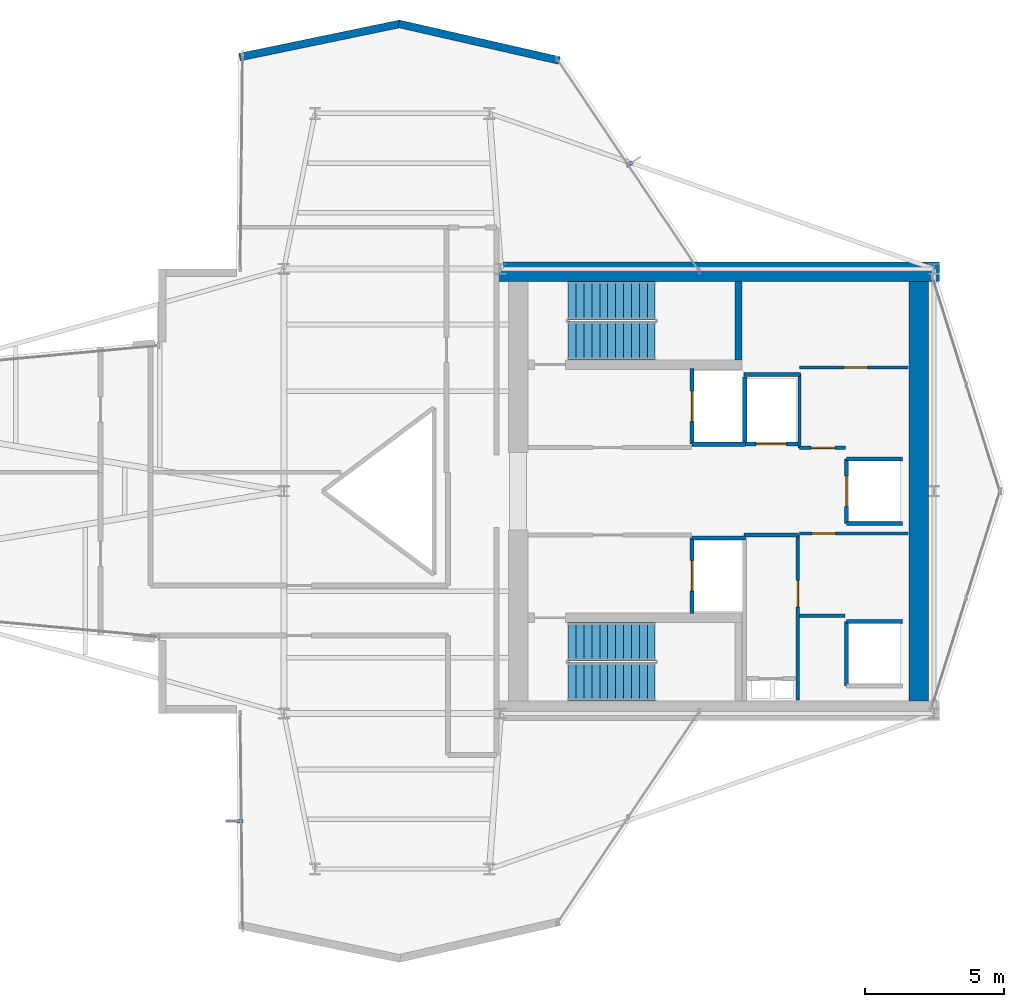
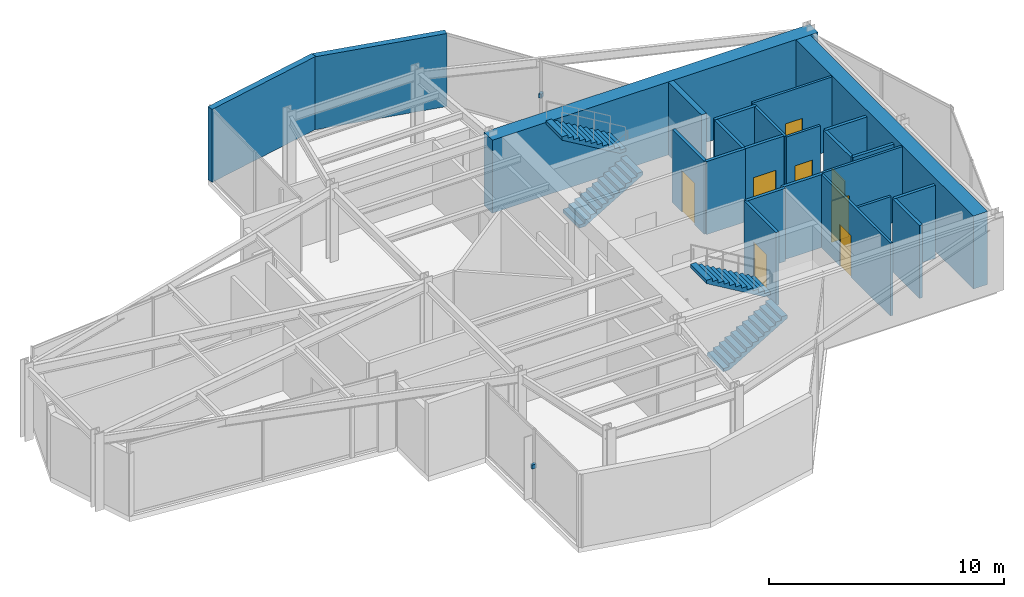
# One storey, part 21 of 22: 24 walls, 8 doors, 4 stair flights, 2 discrete accessories, 8 openings, 2 elements without a shape of their own.
"""IFC4 building model written with IfcOpenShell, lengths in metres."""

from ifc_helpers import new_model, si_unit, direction, frame, frame_2d, origin, origin_2d, place, context, subcontext, project, spatial, polyline, rectangle, outline, extrude, material, layer, layer_set, type_object, element, fill, aggregate, save


model = new_model("IFC4")

# Units and contexts
model_context = context("Model", 3, precision=1e-05, world=origin(), true_north=direction((0.0, 1.0)))
body_context = subcontext(model_context, "Body", "Model", "MODEL_VIEW")
ifc_project = project(units=[si_unit("LENGTHUNIT", "METRE"), si_unit("AREAUNIT", "SQUARE_METRE"), si_unit("VOLUMEUNIT", "CUBIC_METRE"), si_unit("PLANEANGLEUNIT", "RADIAN"), si_unit("MASSUNIT", "GRAM", prefix="KILO")], contexts=[model_context])

# Site, building, storey
site_placement = place(None, origin())
site = spatial("IfcSite", under=ifc_project, at=site_placement, CompositionType="ELEMENT")
building_placement = place(site_placement, origin())
building = spatial("IfcBuilding", under=site, at=building_placement, Name="Veymaron Broadcast Tower", CompositionType="ELEMENT")
storey_placement = place(building_placement, frame((0.0, 0.0, 208.050048828125)))
storey = spatial("IfcBuildingStorey", under=building, at=storey_placement, Name="L48", CompositionType="ELEMENT", Elevation=208.050048828125)

# Walls
ifc_material_1 = material(Name="Precast concrete C40/50", Category="concrete")
ifc_layer_1 = layer(ifc_material_1, 0.280029296875)
ifc_layer_set_1 = layer_set([ifc_layer_1], Name="Precast concrete C40/50")
wall_type_1 = type_object("IfcWallType", Name="WALL-EXT-280", PredefinedType="STANDARD", material=ifc_layer_set_1)
wall_1_placement = place(storey_placement, frame((41.11328125, 39.50341796875, 0.0), z_axis=(0.0, 0.0, 1.0), x_axis=(-0.974934808954, 0.222490715064, 0.0)))
element("IfcWall", 1, at=wall_1_placement, inside=storey, type_object=wall_type_1, Name="L48 notched corner facade pier 6-1", PredefinedType="STANDARD", context=body_context, shape_type="SweptSolid", body=[
    extrude(rectangle(XDim=5.93310546875, YDim=0.280029296875, at=frame_2d((2.966552734375, 0.0))), origin(), (0.0, 0.0, 1.0), 3.7900390625),
])
wall_2_placement = place(storey_placement, frame((35.388427734375, 40.822998046875, 0.0), z_axis=(0.0, 0.0, 1.0), x_axis=(-0.979145472124, -0.203160390873, 0.0)))
element("IfcWall", 2, at=wall_2_placement, inside=storey, type_object=wall_type_1, Name="L48 notched corner facade pier 7-1", PredefinedType="STANDARD", context=body_context, shape_type="SweptSolid", body=[
    extrude(rectangle(XDim=5.90771484375, YDim=0.280029296875, at=frame_2d((2.953857421875, 0.0))), origin(), (0.0, 0.0, 1.0), 3.7900390625),
])

# Wall, opening, door
ifc_material_2 = material(Name="Gypsum fireboard and steel stud framing", Category="steel")
ifc_layer_2 = layer(ifc_material_2, 0.14990234375)
ifc_layer_set_2 = layer_set([ifc_layer_2], Name="Gypsum fireboard and steel stud framing")
wall_type_2 = type_object("IfcWallType", Name="WALL-FIRE-150", PredefinedType="PARTITIONING", material=ifc_layer_set_2)
wall_3_placement = place(storey_placement, frame((45.89501953125, 25.68994140625, 0.0), z_axis=(0.0, 0.0, 1.0), x_axis=(0.0, 1.0, 0.0)))
wall_3 = element("IfcWall", 3, at=wall_3_placement, inside=storey, type_object=wall_type_2, Name="L48 partition IW-L48-SHW-FFL-1", PredefinedType="PARTITIONING", context=body_context, shape_type="SweptSolid", body=[
    extrude(rectangle(XDim=2.719970703125, YDim=0.14990234375, at=frame_2d((1.35986328125, 0.0))), origin(), (0.0, 0.0, 1.0), 3.7900390625),
])
opening_1_placement = place(wall_3_placement, frame((0.81005859375, 0.0, 0.0)))
opening_1 = element("IfcOpeningElement", 4, at=opening_1_placement, cuts=wall_3, Name="Opening LD", PredefinedType="OPENING", context=body_context, shape_type="SweptSolid", body=[
    extrude(rectangle(XDim=1.10009765625, YDim=2.14990234375, at=frame_2d((0.550048828125, 1.074951171875))), frame((0.0, 0.0849609375, 0.0), z_axis=(0.0, -1.0, 0.0), x_axis=(1.0, 0.0, 0.0)), (0.0, 0.0, 1.0), 0.169921875),
])
ifc_material_3 = material(Name="Brushed stainless steel AISI 304", Category="steel")
door_type_1 = type_object("IfcDoorType", Name="DOOR-LIFT-1100", OperationType="DOUBLE_DOOR_SLIDING", PredefinedType="DOOR", material=ifc_material_3)
door_1_placement = place(opening_1_placement, frame((1.10009765625, 0.0, 0.0), z_axis=(0.0, 0.0, 1.0), x_axis=(-1.0, 0.0, 0.0)))
door_1 = element("IfcDoor", 5, at=door_1_placement, inside=storey, type_object=door_type_1, Name="L48 door LD-L48-FFL-1", OperationType="DOUBLE_DOOR_SLIDING", OverallHeight=2.14990234375, OverallWidth=1.10009765625, PredefinedType="DOOR", context=body_context, shape_type="SweptSolid", body=[
    extrude(rectangle(XDim=1.10009765625, YDim=2.14990234375, at=frame_2d((0.550048828125, 1.074951171875))), frame((0.0, 0.02490234375, 0.0), z_axis=(0.0, -1.0, 0.0), x_axis=(1.0, 0.0, 0.0)), (0.0, 0.0, 1.0), 0.050048828125),
])
fill(opening_1, door_1)

# Wall
wall_4_placement = place(storey_placement, frame((45.89501953125, 25.68994140625, 0.0), z_axis=(0.0, 0.0, 1.0), x_axis=(1.0, 0.0, 0.0)))
element("IfcWall", 6, at=wall_4_placement, inside=storey, type_object=wall_type_2, Name="L48 partition IW-L48-SHS-FFL-1", PredefinedType="PARTITIONING", context=body_context, shape_type="SweptSolid", body=[
    extrude(rectangle(XDim=1.9150390625, YDim=0.14990234375, at=frame_2d((0.95751953125, 0.0))), origin(), (0.0, 0.0, 1.0), 3.7900390625),
])

# Wall, opening, door
wall_5_placement = place(storey_placement, frame((45.89501953125, 19.590087890625, 0.0), z_axis=(0.0, 0.0, 1.0), x_axis=(0.0, 1.0, 0.0)))
wall_5 = element("IfcWall", 7, at=wall_5_placement, inside=storey, type_object=wall_type_2, Name="L48 partition IW-L48-SHW-FFL-2", PredefinedType="PARTITIONING", context=body_context, shape_type="SweptSolid", body=[
    extrude(rectangle(XDim=2.719970703125, YDim=0.14990234375, at=frame_2d((1.35986328125, 0.0))), origin(), (0.0, 0.0, 1.0), 3.7900390625),
])
opening_2_placement = place(wall_5_placement, frame((0.81005859375, 0.0, 0.0)))
opening_2 = element("IfcOpeningElement", 8, at=opening_2_placement, cuts=wall_5, Name="Opening LD", PredefinedType="OPENING", context=body_context, shape_type="SweptSolid", body=[
    extrude(rectangle(XDim=1.10009765625, YDim=2.14990234375, at=frame_2d((0.550048828125, 1.074951171875))), frame((0.0, 0.0849609375, 0.0), z_axis=(0.0, -1.0, 0.0), x_axis=(1.0, 0.0, 0.0)), (0.0, 0.0, 1.0), 0.169921875),
])
door_2_placement = place(opening_2_placement, frame((1.10009765625, 0.0, 0.0), z_axis=(0.0, 0.0, 1.0), x_axis=(-1.0, 0.0, 0.0)))
door_2 = element("IfcDoor", 9, at=door_2_placement, inside=storey, type_object=door_type_1, Name="L48 door LD-L48-FFL-2", OperationType="DOUBLE_DOOR_SLIDING", OverallHeight=2.14990234375, OverallWidth=1.10009765625, PredefinedType="DOOR", context=body_context, shape_type="SweptSolid", body=[
    extrude(rectangle(XDim=1.10009765625, YDim=2.14990234375, at=frame_2d((0.550048828125, 1.074951171875))), frame((0.0, 0.02490234375, 0.0), z_axis=(0.0, -1.0, 0.0), x_axis=(1.0, 0.0, 0.0)), (0.0, 0.0, 1.0), 0.050048828125),
])
fill(opening_2, door_2)

# Wall
wall_6_placement = place(storey_placement, frame((45.89501953125, 22.31005859375, 0.0), z_axis=(0.0, 0.0, 1.0), x_axis=(1.0, 0.0, 0.0)))
element("IfcWall", 10, at=wall_6_placement, inside=storey, type_object=wall_type_2, Name="L48 partition IW-L48-SHN-FFL-2", PredefinedType="PARTITIONING", context=body_context, shape_type="SweptSolid", body=[
    extrude(rectangle(XDim=1.9150390625, YDim=0.14990234375, at=frame_2d((0.95751953125, 0.0))), origin(), (0.0, 0.0, 1.0), 3.7900390625),
])

# Wall, opening, door
wall_7_placement = place(storey_placement, frame((47.7900390625, 25.695068359375, 0.0), z_axis=(0.0, 0.0, 1.0), x_axis=(1.0, 0.0, 0.0)))
wall_7 = element("IfcWall", 11, at=wall_7_placement, inside=storey, type_object=wall_type_2, Name="L48 partition IW-L48-SHS-SL-1", PredefinedType="PARTITIONING", context=body_context, shape_type="SweptSolid", body=[
    extrude(rectangle(XDim=1.919921875, YDim=0.14990234375, at=frame_2d((0.9599609375, 0.0))), origin(), (0.0, 0.0, 1.0), 3.7900390625),
])
opening_3_placement = place(wall_7_placement, frame((0.409912109375, 0.0, 0.0)))
opening_3 = element("IfcOpeningElement", 12, at=opening_3_placement, cuts=wall_7, Name="Opening LD", PredefinedType="OPENING", context=body_context, shape_type="SweptSolid", body=[
    extrude(rectangle(XDim=1.10009765625, YDim=2.14990234375, at=frame_2d((0.550048828125, 1.074951171875))), frame((0.0, 0.0849609375, 0.0), z_axis=(0.0, -1.0, 0.0), x_axis=(1.0, 0.0, 0.0)), (0.0, 0.0, 1.0), 0.169921875),
])
door_3_placement = place(opening_3_placement, frame((1.10009765625, 0.0, 0.0), z_axis=(0.0, 0.0, 1.0), x_axis=(-1.0, 0.0, 0.0)))
door_3 = element("IfcDoor", 13, at=door_3_placement, inside=storey, type_object=door_type_1, Name="L48 door LD-L48-SL-1", OperationType="DOUBLE_DOOR_SLIDING", OverallHeight=2.14990234375, OverallWidth=1.10009765625, PredefinedType="DOOR", context=body_context, shape_type="SweptSolid", body=[
    extrude(rectangle(XDim=1.10009765625, YDim=2.14990234375, at=frame_2d((0.550048828125, 1.074951171875))), frame((0.0, 0.02490234375, 0.0), z_axis=(0.0, -1.0, 0.0), x_axis=(1.0, 0.0, 0.0)), (0.0, 0.0, 1.0), 0.050048828125),
])
fill(opening_3, door_3)

# Wall
wall_8_placement = place(storey_placement, frame((47.7900390625, 25.695068359375, 0.0), z_axis=(0.0, 0.0, 1.0), x_axis=(0.0, 1.0, 0.0)))
element("IfcWall", 14, at=wall_8_placement, inside=storey, type_object=wall_type_2, Name="L48 partition IW-L48-SHW-SL-1", PredefinedType="PARTITIONING", context=body_context, shape_type="SweptSolid", body=[
    extrude(rectangle(XDim=2.4150390625, YDim=0.14990234375, at=frame_2d((1.20751953125, 0.0))), origin(), (0.0, 0.0, 1.0), 3.7900390625),
])

# Wall, opening, door
wall_9_placement = place(storey_placement, frame((51.445068359375, 22.840087890625, 0.0), z_axis=(0.0, 0.0, 1.0), x_axis=(0.0, 1.0, 0.0)))
wall_9 = element("IfcWall", 15, at=wall_9_placement, inside=storey, type_object=wall_type_2, Name="L48 partition IW-L48-SHW-PM3", PredefinedType="PARTITIONING", context=body_context, shape_type="SweptSolid", body=[
    extrude(rectangle(XDim=2.31982421875, YDim=0.14990234375, at=frame_2d((1.159912109375, 0.0))), origin(), (0.0, 0.0, 1.0), 3.7900390625),
])
opening_4_placement = place(wall_9_placement, frame((0.610107421875, 0.0, 0.0)))
opening_4 = element("IfcOpeningElement", 16, at=opening_4_placement, cuts=wall_9, Name="Opening LD", PredefinedType="OPENING", context=body_context, shape_type="SweptSolid", body=[
    extrude(rectangle(XDim=1.10009765625, YDim=2.14990234375, at=frame_2d((0.550048828125, 1.074951171875))), frame((0.0, 0.0849609375, 0.0), z_axis=(0.0, -1.0, 0.0), x_axis=(1.0, 0.0, 0.0)), (0.0, 0.0, 1.0), 0.169921875),
])
door_4_placement = place(opening_4_placement, frame((1.10009765625, 0.0, 0.0), z_axis=(0.0, 0.0, 1.0), x_axis=(-1.0, 0.0, 0.0)))
door_4 = element("IfcDoor", 17, at=door_4_placement, inside=storey, type_object=door_type_1, Name="L48 door LD-L48-PM3", OperationType="DOUBLE_DOOR_SLIDING", OverallHeight=2.14990234375, OverallWidth=1.10009765625, PredefinedType="DOOR", context=body_context, shape_type="SweptSolid", body=[
    extrude(rectangle(XDim=1.10009765625, YDim=2.14990234375, at=frame_2d((0.550048828125, 1.074951171875))), frame((0.0, 0.02490234375, 0.0), z_axis=(0.0, -1.0, 0.0), x_axis=(1.0, 0.0, 0.0)), (0.0, 0.0, 1.0), 0.050048828125),
])
fill(opening_4, door_4)

# Walls
for number, where, z_axis, x_axis, name in (
    (18, (51.445068359375, 22.840087890625, 0.0), (0.0, 0.0, 1.0), (1.0, 0.0, 0.0), "L48 partition IW-L48-SHS-PM3"),
    (19, (51.445068359375, 25.159912109375, 0.0), (0.0, 0.0, 1.0), (1.0, 0.0, 0.0), "L48 partition IW-L48-SHN-PM3"),
):
    element("IfcWall", number, at=place(storey_placement, frame(where, z_axis=z_axis, x_axis=x_axis)), inside=storey, type_object=wall_type_2, Name=name, PredefinedType="PARTITIONING", context=body_context, shape_type="SweptSolid", body=[
        extrude(rectangle(XDim=2.014892578125, YDim=0.14990234375, at=frame_2d((1.00732421875, 0.0))), origin(), (0.0, 0.0, 1.0), 3.7900390625),
    ])
wall_10_placement = place(storey_placement, frame((51.445068359375, 16.989990234375, 0.0), z_axis=(0.0, 0.0, 1.0), x_axis=(0.0, 1.0, 0.0)))
element("IfcWall", 20, at=wall_10_placement, inside=storey, type_object=wall_type_2, Name="L48 partition IW-L48-SHW-PH1", PredefinedType="PARTITIONING", context=body_context, shape_type="SweptSolid", body=[
    extrude(rectangle(XDim=2.320068359375, YDim=0.14990234375, at=frame_2d((1.16015625, 0.0))), origin(), (0.0, 0.0, 1.0), 3.7900390625),
])
wall_11_placement = place(storey_placement, frame((51.445068359375, 19.31005859375, 0.0), z_axis=(0.0, 0.0, 1.0), x_axis=(1.0, 0.0, 0.0)))
element("IfcWall", 21, at=wall_11_placement, inside=storey, type_object=wall_type_2, Name="L48 partition IW-L48-SHN-PH1", PredefinedType="PARTITIONING", context=body_context, shape_type="SweptSolid", body=[
    extrude(rectangle(XDim=2.014892578125, YDim=0.14990234375, at=frame_2d((1.00732421875, 0.0))), origin(), (0.0, 0.0, 1.0), 3.7900390625),
])
wall_12_placement = place(storey_placement, frame((47.760009765625, 22.425048828125, 0.0), z_axis=(0.0, 0.0, 1.0), x_axis=(1.0, 0.0, 0.0)))
element("IfcWall", 22, at=wall_12_placement, inside=storey, type_object=wall_type_2, Name="L48 partition IW-L48-SM-N", PredefinedType="PARTITIONING", context=body_context, shape_type="SweptSolid", body=[
    extrude(rectangle(XDim=1.9599609375, YDim=0.14990234375, at=frame_2d((0.97998046875, 0.0))), origin(), (0.0, 0.0, 1.0), 3.7900390625),
])
wall_13_placement = place(storey_placement, frame((47.760009765625, 28.199951171875, 0.0), z_axis=(0.0, 0.0, 1.0), x_axis=(1.0, 0.0, 0.0)))
element("IfcWall", 23, at=wall_13_placement, inside=storey, type_object=wall_type_2, Name="L48 partition IW-L48-F2-SW", PredefinedType="PARTITIONING", context=body_context, shape_type="SweptSolid", body=[
    extrude(rectangle(XDim=2.0400390625, YDim=0.14990234375, at=frame_2d((1.02001953125, 0.0))), origin(), (0.0, 0.0, 1.0), 3.7900390625),
])

# Wall, opening, door
ifc_material_4 = material(Name="Acoustic gypsum board and galvanized stud", Category="gypsum")
ifc_layer_3 = layer(ifc_material_4, 0.1201171875)
ifc_layer_set_3 = layer_set([ifc_layer_3], Name="Acoustic gypsum board and galvanized stud")
wall_type_3 = type_object("IfcWallType", Name="WALL-PART-120", PredefinedType="PARTITIONING", material=ifc_layer_set_3)
wall_14_placement = place(storey_placement, frame((49.699951171875, 16.47998046875, 0.0), z_axis=(0.0, 0.0, 1.0), x_axis=(0.0, 1.0, 0.0)))
wall_14 = element("IfcWall", 24, at=wall_14_placement, inside=storey, type_object=wall_type_3, Name="L48 partition IW-L48-SM-E", PredefinedType="PARTITIONING", context=body_context, shape_type="SweptSolid", body=[
    extrude(rectangle(XDim=5.945068359375, YDim=0.1201171875, at=frame_2d((2.97265625, 0.0))), origin(), (0.0, 0.0, 1.0), 3.7900390625),
])
opening_5_placement = place(wall_14_placement, frame((3.35009765625, 0.0, 0.0)))
opening_5 = element("IfcOpeningElement", 25, at=opening_5_placement, cuts=wall_14, Name="Opening ID-RM1", PredefinedType="OPENING", context=body_context, shape_type="SweptSolid", body=[
    extrude(rectangle(XDim=0.949951171875, YDim=2.14990234375, at=frame_2d((0.47509765625, 1.074951171875))), frame((0.0, 0.070068359375, 0.0), z_axis=(0.0, -1.0, 0.0), x_axis=(1.0, 0.0, 0.0)), (0.0, 0.0, 1.0), 0.14013671875),
])
ifc_material_5 = material(Name="Acoustic solid-core European oak veneer timber", Category="wood")
door_type_2 = type_object("IfcDoorType", Name="DOOR-INT-950", OperationType="NOTDEFINED", PredefinedType="DOOR", material=ifc_material_5)
door_5_placement = place(opening_5_placement, frame((0.949951171875, 0.0, 0.0), z_axis=(0.0, 0.0, 1.0), x_axis=(-1.0, 0.0, 0.0)))
door_5 = element("IfcDoor", 26, at=door_5_placement, inside=storey, type_object=door_type_2, Name="L48 door DR-L48-AWC", OperationType="SINGLE_SWING_LEFT", OverallHeight=2.14990234375, OverallWidth=0.949951171875, PredefinedType="DOOR", context=body_context, shape_type="SweptSolid", body=[
    extrude(rectangle(XDim=0.949951171875, YDim=2.14990234375, at=frame_2d((0.47509765625, 1.074951171875))), frame((0.0, 0.02490234375, 0.0), z_axis=(0.0, -1.0, 0.0), x_axis=(1.0, 0.0, 0.0)), (0.0, 0.0, 1.0), 0.050048828125),
])
fill(opening_5, door_5)

wall_15_placement = place(storey_placement, frame((49.760009765625, 22.47998046875, 0.0), z_axis=(0.0, 0.0, 1.0), x_axis=(1.0, 0.0, 0.0)))
wall_15 = element("IfcWall", 27, at=wall_15_placement, inside=storey, type_object=wall_type_3, Name="L48 partition IW-L48-F2S-N", PredefinedType="PARTITIONING", context=body_context, shape_type="SweptSolid", body=[
    extrude(rectangle(XDim=3.89990234375, YDim=0.1201171875, at=frame_2d((1.949951171875, 0.0))), origin(), (0.0, 0.0, 1.0), 3.7900390625),
])
opening_6_placement = place(wall_15_placement, frame((0.449951171875, 0.0, 0.0)))
opening_6 = element("IfcOpeningElement", 28, at=opening_6_placement, cuts=wall_15, Name="Opening ID-WC1", PredefinedType="OPENING", context=body_context, shape_type="SweptSolid", body=[
    extrude(rectangle(XDim=0.85009765625, YDim=2.14990234375, at=frame_2d((0.425048828125, 1.074951171875))), frame((0.0, 0.070068359375, 0.0), z_axis=(0.0, -1.0, 0.0), x_axis=(1.0, 0.0, 0.0)), (0.0, 0.0, 1.0), 0.14013671875),
])
ifc_material_6 = material(Name="Moisture-resistant high-pressure laminate timber", Category="wood")
door_type_3 = type_object("IfcDoorType", Name="DOOR-INT-850", OperationType="NOTDEFINED", PredefinedType="DOOR", material=ifc_material_6)
door_6_placement = place(opening_6_placement, frame((0.85009765625, 0.0, 0.0), z_axis=(0.0, 0.0, 1.0), x_axis=(-1.0, 0.0, 0.0)))
door_6 = element("IfcDoor", 29, at=door_6_placement, inside=storey, type_object=door_type_3, Name="L48 door DR-L48-F2S", OperationType="SINGLE_SWING_LEFT", OverallHeight=2.14990234375, OverallWidth=0.85009765625, PredefinedType="DOOR", context=body_context, shape_type="SweptSolid", body=[
    extrude(rectangle(XDim=0.85009765625, YDim=2.14990234375, at=frame_2d((0.425048828125, 1.074951171875))), frame((0.0, 0.02490234375, 0.0), z_axis=(0.0, -1.0, 0.0), x_axis=(1.0, 0.0, 0.0)), (0.0, 0.0, 1.0), 0.050048828125),
])
fill(opening_6, door_6)

# Walls
wall_16_placement = place(storey_placement, frame((49.760009765625, 19.52001953125, 0.0), z_axis=(0.0, 0.0, 1.0), x_axis=(1.0, 0.0, 0.0)))
element("IfcWall", 30, at=wall_16_placement, inside=storey, type_object=wall_type_3, Name="L48 partition IW-L48-F2S-S", PredefinedType="PARTITIONING", context=body_context, shape_type="SweptSolid", body=[
    extrude(rectangle(XDim=1.639892578125, YDim=0.1201171875, at=frame_2d((0.81982421875, 0.0))), origin(), (0.0, 0.0, 1.0), 3.7900390625),
])
wall_17_placement = place(storey_placement, frame((49.760009765625, 25.56005859375, 0.0), z_axis=(0.0, 0.0, 1.0), x_axis=(0.0, 1.0, 0.0)))
element("IfcWall", 31, at=wall_17_placement, inside=storey, type_object=wall_type_3, Name="L48 partition IW-L48-F2-W1", PredefinedType="PARTITIONING", context=body_context, shape_type="SweptSolid", body=[
    extrude(rectangle(XDim=2.659912109375, YDim=0.1201171875, at=frame_2d((1.330078125, 0.0))), origin(), (0.0, 0.0, 1.0), 3.7900390625),
])

# Wall, opening, door
wall_18_placement = place(storey_placement, frame((49.760009765625, 25.56005859375, 0.0), z_axis=(0.0, 0.0, 1.0), x_axis=(1.0, 0.0, 0.0)))
wall_18 = element("IfcWall", 32, at=wall_18_placement, inside=storey, type_object=wall_type_3, Name="L48 partition IW-L48-F2-S", PredefinedType="PARTITIONING", context=body_context, shape_type="SweptSolid", body=[
    extrude(rectangle(XDim=1.659912109375, YDim=0.1201171875, at=frame_2d((0.830078125, 0.0))), origin(), (0.0, 0.0, 1.0), 3.7900390625),
])
opening_7_placement = place(wall_18_placement, frame((0.419921875, 0.0, 0.0)))
opening_7 = element("IfcOpeningElement", 33, at=opening_7_placement, cuts=wall_18, Name="Opening ID-WC1", PredefinedType="OPENING", context=body_context, shape_type="SweptSolid", body=[
    extrude(rectangle(XDim=0.85009765625, YDim=2.14990234375, at=frame_2d((0.425048828125, 1.074951171875))), frame((0.0, 0.070068359375, 0.0), z_axis=(0.0, -1.0, 0.0), x_axis=(1.0, 0.0, 0.0)), (0.0, 0.0, 1.0), 0.14013671875),
])
door_7_placement = place(opening_7_placement, origin())
door_7 = element("IfcDoor", 34, at=door_7_placement, inside=storey, type_object=door_type_3, Name="L48 door DR-L48-F2A", OperationType="SINGLE_SWING_LEFT", OverallHeight=2.14990234375, OverallWidth=0.85009765625, PredefinedType="DOOR", context=body_context, shape_type="SweptSolid", body=[
    extrude(rectangle(XDim=0.85009765625, YDim=2.14990234375, at=frame_2d((0.425048828125, 1.074951171875))), frame((0.0, 0.02490234375, 0.0), z_axis=(0.0, -1.0, 0.0), x_axis=(1.0, 0.0, 0.0)), (0.0, 0.0, 1.0), 0.050048828125),
])
fill(opening_7, door_7)

wall_19_placement = place(storey_placement, frame((49.760009765625, 28.449951171875, 0.0), z_axis=(0.0, 0.0, 1.0), x_axis=(1.0, 0.0, 0.0)))
wall_19 = element("IfcWall", 35, at=wall_19_placement, inside=storey, type_object=wall_type_3, Name="L48 partition IW-L48-F2-M", PredefinedType="PARTITIONING", context=body_context, shape_type="SweptSolid", body=[
    extrude(rectangle(XDim=3.89990234375, YDim=0.1201171875, at=frame_2d((1.949951171875, 0.0))), origin(), (0.0, 0.0, 1.0), 3.7900390625),
])
opening_8_placement = place(wall_19_placement, frame((1.60009765625, 0.0, 0.0)))
opening_8 = element("IfcOpeningElement", 36, at=opening_8_placement, cuts=wall_19, Name="Opening ID-WC1", PredefinedType="OPENING", context=body_context, shape_type="SweptSolid", body=[
    extrude(rectangle(XDim=0.85009765625, YDim=2.14990234375, at=frame_2d((0.425048828125, 1.074951171875))), frame((0.0, 0.070068359375, 0.0), z_axis=(0.0, -1.0, 0.0), x_axis=(1.0, 0.0, 0.0)), (0.0, 0.0, 1.0), 0.14013671875),
])
door_8_placement = place(opening_8_placement, origin())
door_8 = element("IfcDoor", 37, at=door_8_placement, inside=storey, type_object=door_type_3, Name="L48 door DR-L48-F2B", OperationType="SINGLE_SWING_RIGHT", OverallHeight=2.14990234375, OverallWidth=0.85009765625, PredefinedType="DOOR", context=body_context, shape_type="SweptSolid", body=[
    extrude(rectangle(XDim=0.85009765625, YDim=2.14990234375, at=frame_2d((0.425048828125, 1.074951171875))), frame((0.0, 0.02490234375, 0.0), z_axis=(0.0, -1.0, 0.0), x_axis=(1.0, 0.0, 0.0)), (0.0, 0.0, 1.0), 0.050048828125),
])
fill(opening_8, door_8)

# Walls
ifc_material_7 = material(Name="Concrete C50/60", Category="concrete")
ifc_layer_4 = layer(ifc_material_7, 0.25)
ifc_layer_set_4 = layer_set([ifc_layer_4], Name="Concrete C50/60")
wall_type_4 = type_object("IfcWallType", Name="WALL-SHEAR-250", PredefinedType="SHEAR", material=ifc_layer_set_4)
wall_20_placement = place(storey_placement, frame((47.56494140625, 28.72998046875, 0.0), z_axis=(0.0, 0.0, 1.0), x_axis=(0.0, 1.0, 0.0)))
element("IfcWall", 38, at=wall_20_placement, inside=storey, type_object=wall_type_4, Name="L48 Core Wall north stair east shear", PredefinedType="SHEAR", context=body_context, shape_type="SweptSolid", body=[
    extrude(rectangle(XDim=2.820068359375, YDim=0.25, at=frame_2d((1.41015625, 0.0))), origin(), (0.0, 0.0, 1.0), 3.7900390625),
])
ifc_material_8 = material(Name="Concrete C60/75", Category="concrete")
ifc_layer_5 = layer(ifc_material_8, 0.699951171875)
ifc_layer_set_5 = layer_set([ifc_layer_5], Name="Concrete C60/75")
wall_type_5 = type_object("IfcWallType", Name="WALL-SHEAR-700", PredefinedType="SHEAR", material=ifc_layer_set_5)
wall_21_placement = place(storey_placement, frame((38.800048828125, 31.89990234375, 0.0), z_axis=(0.0, 0.0, 1.0), x_axis=(1.0, 0.0, 0.0)))
element("IfcWall", 39, at=wall_21_placement, inside=storey, type_object=wall_type_5, Name="L48 Core Wall north shear", PredefinedType="SHEAR", context=body_context, shape_type="SweptSolid", body=[
    extrude(rectangle(XDim=16.0, YDim=0.699951171875, at=frame_2d((8.0, 0.0))), origin(), (0.0, 0.0, 1.0), 3.7900390625),
])
wall_22_placement = place(storey_placement, frame((54.050048828125, 16.449951171875, 0.0), z_axis=(0.0, 0.0, 1.0), x_axis=(0.0, 1.0, 0.0)))
element("IfcWall", 40, at=wall_22_placement, inside=storey, type_object=wall_type_5, Name="L48 Core Wall east shear", PredefinedType="SHEAR", context=body_context, shape_type="SweptSolid", body=[
    extrude(rectangle(XDim=15.10009765625, YDim=0.699951171875, at=frame_2d((7.550048828125, 0.0))), origin(), (0.0, 0.0, 1.0), 3.7900390625),
])

# Stair, stair flights
stair_type_1 = type_object("IfcStairType", Name="STAIR-CORE-1", PredefinedType="HALF_TURN_STAIR", material=ifc_material_7)
stair_1_placement = place(storey_placement, origin())
stair_1 = element("IfcStair", 41, at=stair_1_placement, inside=storey, type_object=stair_type_1, Name="L48 North protected dog-leg exit stair ST1", PredefinedType="HALF_TURN_STAIR")
ifc_material_9 = material(Name="Precast concrete C50/60", Category="concrete")
stair_flight_type = type_object("IfcStairFlightType", Name="FLT-CORE-RC", PredefinedType="STRAIGHT", material=ifc_material_9)
stair_flight_1_placement = place(storey_placement, frame((41.429931640625, 29.419921875, 0.0), z_axis=(0.0, 0.0, 1.0), x_axis=(1.0, 0.0, 0.0)))
stair_flight_1 = element("IfcStairFlight", 42, at=stair_flight_1_placement, type_object=stair_flight_type, Name="ST1 flight 1", NumberOfRisers=12, NumberOfTreads=11, PredefinedType="STRAIGHT", RiserHeight=0.16875, TreadLength=0.285, context=body_context, shape_type="SweptSolid", body=[
    extrude(outline(polyline([(0.0, 0.0), (0.0, 0.168701171875), (0.284912109375, 0.168701171875), (0.284912109375, 0.33740234375), (0.570068359375, 0.33740234375), (0.570068359375, 0.50634765625), (0.85498046875, 0.50634765625), (0.85498046875, 0.675048828125), (1.139892578125, 0.675048828125), (1.139892578125, 0.84375), (1.425048828125, 0.84375), (1.425048828125, 1.012451171875), (1.7099609375, 1.012451171875), (1.7099609375, 1.18115234375), (1.9951171875, 1.18115234375), (1.9951171875, 1.35009765625), (2.280029296875, 1.35009765625), (2.280029296875, 1.518798828125), (2.56494140625, 1.518798828125), (2.56494140625, 1.6875), (2.85009765625, 1.6875), (2.85009765625, 1.856201171875), (3.135009765625, 1.856201171875), (3.135009765625, 2.02490234375), (3.135009765625, 1.68212890625), (0.294189453125, 0.0), (0.0, 0.0)])), frame((0.0, 0.68994140625, 0.0), z_axis=(0.0, -1.0, 0.0), x_axis=(1.0, 0.0, 0.0)), (0.0, 0.0, 1.0), 1.3798828125),
])
stair_flight_2_placement = place(storey_placement, frame((44.56494140625, 30.860107421875, 2.02490234375), z_axis=(0.0, 0.0, 1.0), x_axis=(-1.0, 0.0, 0.0)))
stair_flight_2 = element("IfcStairFlight", 43, at=stair_flight_2_placement, type_object=stair_flight_type, Name="ST1 flight 2", NumberOfRisers=12, NumberOfTreads=11, PredefinedType="STRAIGHT", RiserHeight=0.16875, TreadLength=0.285, context=body_context, shape_type="SweptSolid", body=[
    extrude(outline(polyline([(0.0, 0.0), (0.0, 0.168701171875), (0.284912109375, 0.168701171875), (0.284912109375, 0.33740234375), (0.570068359375, 0.33740234375), (0.570068359375, 0.50634765625), (0.85498046875, 0.50634765625), (0.85498046875, 0.675048828125), (1.139892578125, 0.675048828125), (1.139892578125, 0.84375), (1.425048828125, 0.84375), (1.425048828125, 1.012451171875), (1.7099609375, 1.012451171875), (1.7099609375, 1.18115234375), (1.9951171875, 1.18115234375), (1.9951171875, 1.35009765625), (2.280029296875, 1.35009765625), (2.280029296875, 1.518798828125), (2.56494140625, 1.518798828125), (2.56494140625, 1.6875), (2.85009765625, 1.6875), (2.85009765625, 1.856201171875), (3.135009765625, 1.856201171875), (3.135009765625, 2.02490234375), (3.135009765625, 1.68212890625), (0.294189453125, 0.0), (0.0, 0.0)])), frame((0.0, 0.68994140625, 0.0), z_axis=(0.0, -1.0, 0.0), x_axis=(1.0, 0.0, 0.0)), (0.0, 0.0, 1.0), 1.3798828125),
])
aggregate(stair_1, [stair_flight_1, stair_flight_2])

stair_type_2 = type_object("IfcStairType", Name="STAIR-CORE-2", PredefinedType="HALF_TURN_STAIR", material=ifc_material_7)
stair_2_placement = place(storey_placement, origin())
stair_2 = element("IfcStair", 44, at=stair_2_placement, inside=storey, type_object=stair_type_2, Name="L48 South protected dog-leg exit stair ST2", PredefinedType="HALF_TURN_STAIR")
stair_flight_3_placement = place(storey_placement, frame((41.429931640625, 17.139892578125, 0.0), z_axis=(0.0, 0.0, 1.0), x_axis=(1.0, 0.0, 0.0)))
stair_flight_3 = element("IfcStairFlight", 45, at=stair_flight_3_placement, type_object=stair_flight_type, Name="ST2 flight 1", NumberOfRisers=12, NumberOfTreads=11, PredefinedType="STRAIGHT", RiserHeight=0.16875, TreadLength=0.285, context=body_context, shape_type="SweptSolid", body=[
    extrude(outline(polyline([(0.0, 0.0), (0.0, 0.168701171875), (0.284912109375, 0.168701171875), (0.284912109375, 0.33740234375), (0.570068359375, 0.33740234375), (0.570068359375, 0.50634765625), (0.85498046875, 0.50634765625), (0.85498046875, 0.675048828125), (1.139892578125, 0.675048828125), (1.139892578125, 0.84375), (1.425048828125, 0.84375), (1.425048828125, 1.012451171875), (1.7099609375, 1.012451171875), (1.7099609375, 1.18115234375), (1.9951171875, 1.18115234375), (1.9951171875, 1.35009765625), (2.280029296875, 1.35009765625), (2.280029296875, 1.518798828125), (2.56494140625, 1.518798828125), (2.56494140625, 1.6875), (2.85009765625, 1.6875), (2.85009765625, 1.856201171875), (3.135009765625, 1.856201171875), (3.135009765625, 2.02490234375), (3.135009765625, 1.68212890625), (0.294189453125, 0.0), (0.0, 0.0)])), frame((0.0, 0.68994140625, 0.0), z_axis=(0.0, -1.0, 0.0), x_axis=(1.0, 0.0, 0.0)), (0.0, 0.0, 1.0), 1.3798828125),
])
stair_flight_4_placement = place(storey_placement, frame((44.56494140625, 18.580078125, 2.02490234375), z_axis=(0.0, 0.0, 1.0), x_axis=(-1.0, 0.0, 0.0)))
stair_flight_4 = element("IfcStairFlight", 46, at=stair_flight_4_placement, type_object=stair_flight_type, Name="ST2 flight 2", NumberOfRisers=12, NumberOfTreads=11, PredefinedType="STRAIGHT", RiserHeight=0.16875, TreadLength=0.285, context=body_context, shape_type="SweptSolid", body=[
    extrude(outline(polyline([(0.0, 0.0), (0.0, 0.168701171875), (0.284912109375, 0.168701171875), (0.284912109375, 0.33740234375), (0.570068359375, 0.33740234375), (0.570068359375, 0.50634765625), (0.85498046875, 0.50634765625), (0.85498046875, 0.675048828125), (1.139892578125, 0.675048828125), (1.139892578125, 0.84375), (1.425048828125, 0.84375), (1.425048828125, 1.012451171875), (1.7099609375, 1.012451171875), (1.7099609375, 1.18115234375), (1.9951171875, 1.18115234375), (1.9951171875, 1.35009765625), (2.280029296875, 1.35009765625), (2.280029296875, 1.518798828125), (2.56494140625, 1.518798828125), (2.56494140625, 1.6875), (2.85009765625, 1.6875), (2.85009765625, 1.856201171875), (3.135009765625, 1.856201171875), (3.135009765625, 2.02490234375), (3.135009765625, 1.68212890625), (0.294189453125, 0.0), (0.0, 0.0)])), frame((0.0, 0.68994140625, 0.0), z_axis=(0.0, -1.0, 0.0), x_axis=(1.0, 0.0, 0.0)), (0.0, 0.0, 1.0), 1.3798828125),
])
aggregate(stair_2, [stair_flight_3, stair_flight_4])

# Discrete accessories
ifc_material_10 = material(Name="Austenitic stainless steel AISI 316L", Category="steel")
ifc_layer_6 = layer(ifc_material_10, 0.1201171875)
ifc_layer_set_6 = layer_set([ifc_layer_6], Name="Austenitic stainless steel AISI 316L")
discrete_accessory_type = type_object("IfcDiscreteAccessoryType", Name="ACC-BRKT-SS1", PredefinedType="BRACKET", material=ifc_layer_set_6)
for number, where, z_axis, x_axis, name in (
    (47, (43.6376953125, 35.775390625, 1.78515625), (0.0, 0.0, 1.0), (0.830741660426, 0.556658147909, 0.0), "CW-L48-E5-1 fin bracket 1"),
    (48, (29.6123046875, 12.120849609375, 1.78515625), (0.0, 0.0, 1.0), (-0.9999378098, -0.011152422724, 0.0), "CW-L48-E17-1 fin bracket 1"),
):
    element("IfcDiscreteAccessory", number, at=place(storey_placement, frame(where, z_axis=z_axis, x_axis=x_axis)), inside=storey, type_object=discrete_accessory_type, Name=name, PredefinedType="BRACKET", context=body_context, shape_type="SweptSolid", body=[
        extrude(rectangle(XDim=0.219970703125, YDim=0.139892578125, at=origin_2d()), origin(), (0.0, 0.0, 1.0), 0.219970703125),
    ])

save(model, "model.ifc")
